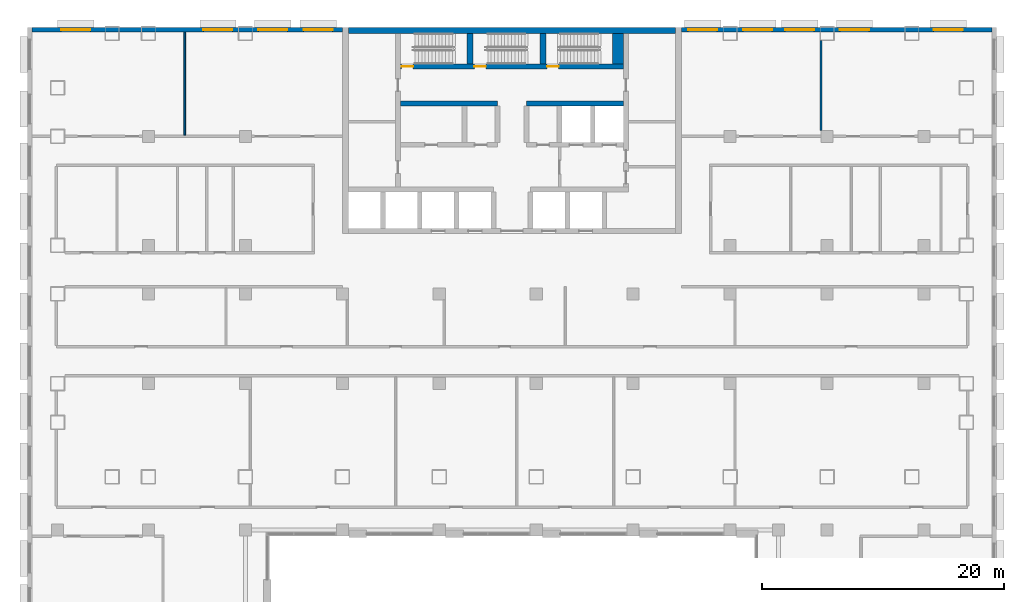
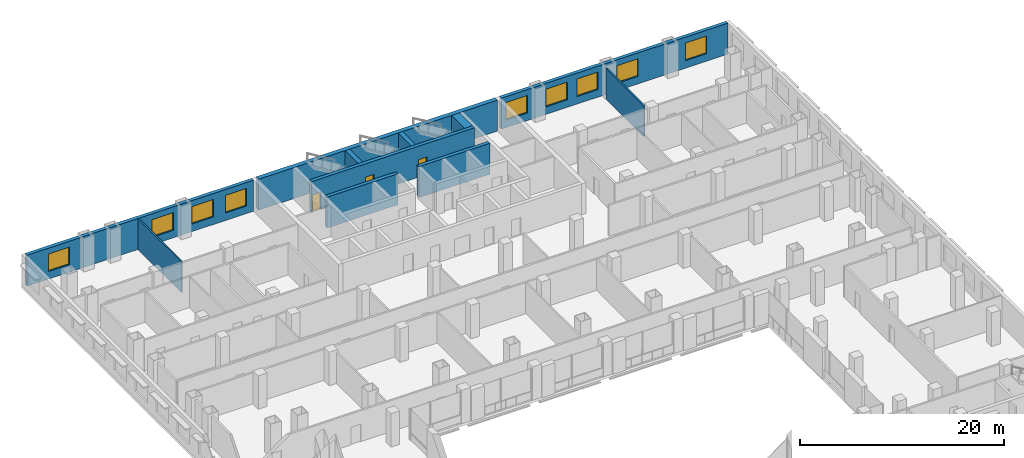
# One storey, part 16 of 25: 11 walls, 9 windows, 3 doors, 12 openings.
"""IFC4 building model written with IfcOpenShell, lengths in metres."""

import ifcopenshell
import ifcopenshell.guid

model = None  # the IFC model being written
_history = None  # IfcOwnerHistory: only IFC2X3 demands one
_inside = {}  # id of a spatial element -> (the spatial element, [elements in it])
_under = {}  # id of a project, library or spatial element -> (it, [spatial elements below it])
_declared = {}  # id of a project -> (the project, [libraries it declares])
_typed = {}  # id of a type object -> (the type object, [elements of that type])
_made_of = {}  # id of a material, layer set ... -> (it, [elements and type objects made of it])


def new_model(schema):
    """Start an empty IFC model of exactly this schema.

    Asked for "IFC4X3", IfcOpenShell would pick the latest addendum, in which some entities
    have other attributes; the version numbers below select the first issue.
    IFC2X3 requires an IfcOwnerHistory on every rooted entity: one is made here for all.
    """
    global model, _history
    if schema == "IFC4X3":
        model = ifcopenshell.file(schema_version=(4, 3, 0, 0))
    else:
        model = ifcopenshell.file(schema=schema)
    _inside.clear()
    _under.clear()
    _declared.clear()
    _typed.clear()
    _made_of.clear()
    _history = None
    if model.schema == "IFC2X3":
        org = make("IfcOrganization", Name="unknown")
        user = make(
            "IfcPersonAndOrganization",
            ThePerson=make("IfcPerson", FamilyName="unknown"),
            TheOrganization=org,
        )
        app = make(
            "IfcApplication",
            ApplicationDeveloper=org,
            Version="unknown",
            ApplicationFullName="unknown",
            ApplicationIdentifier="unknown",
        )
        _history = make(
            "IfcOwnerHistory",
            OwningUser=user,
            OwningApplication=app,
            ChangeAction="ADDED",
            CreationDate=0,
        )
    return model


def make(cls, **values):
    """One entity of the class cls with the attributes given. An attribute that is None is left unset."""
    return model.create_entity(
        cls, **{name: value for name, value in values.items() if value is not None}
    )


def rooted(cls, **values):
    """An entity with a GlobalId (a new one), such as an element, a storey or a relation."""
    return make(cls, GlobalId=ifcopenshell.guid.new(), OwnerHistory=_history, **values)


def si_unit(unit_type, name, prefix=None):
    """IfcSIUnit, for example si_unit("LENGTHUNIT", "METRE", prefix="MILLI")."""
    return make("IfcSIUnit", UnitType=unit_type, Prefix=prefix, Name=name)


def assignment(units):
    """IfcUnitAssignment: the units of a project."""
    return None if units is None else make("IfcUnitAssignment", Units=units)


def point(xyz):
    """IfcCartesianPoint."""
    return None if xyz is None else make("IfcCartesianPoint", Coordinates=xyz)


def direction(xyz):
    """IfcDirection."""
    return None if xyz is None else make("IfcDirection", DirectionRatios=xyz)


def frame(location, z_axis=None, x_axis=None):
    """IfcAxis2Placement3D, a coordinate frame: its origin and axes. An axis left out is left unset."""
    return make(
        "IfcAxis2Placement3D",
        Location=point(location),
        Axis=direction(z_axis),
        RefDirection=direction(x_axis),
    )


def frame_2d(location, x_axis=None):
    """IfcAxis2Placement2D, a coordinate frame in the plane: its origin and x axis."""
    return make(
        "IfcAxis2Placement2D", Location=point(location), RefDirection=direction(x_axis)
    )


def origin():
    """The frame at (0, 0, 0) with its axes left unset."""
    return frame((0.0, 0.0, 0.0))


def place(relative_to, where):
    """IfcLocalPlacement: puts the frame where relative to a parent placement (None: the world)."""
    return make(
        "IfcLocalPlacement", PlacementRelTo=relative_to, RelativePlacement=where
    )


def context(
    kind, dimensions, precision=None, world=None, true_north=None, identifier=None
):
    """IfcGeometricRepresentationContext, for example the 3D "Model" context."""
    return make(
        "IfcGeometricRepresentationContext",
        ContextIdentifier=identifier,
        ContextType=kind,
        CoordinateSpaceDimension=dimensions,
        Precision=precision,
        WorldCoordinateSystem=world,
        TrueNorth=true_north,
    )


def subcontext(parent, identifier, kind, view, scale=None):
    """IfcGeometricRepresentationSubContext, for example "Body" below "Model"."""
    return make(
        "IfcGeometricRepresentationSubContext",
        ContextIdentifier=identifier,
        ContextType=kind,
        ParentContext=parent,
        TargetScale=scale,
        TargetView=view,
    )


def project(units=None, contexts=None):
    """IfcProject with its units and contexts."""
    return rooted(
        "IfcProject",
        Name="project",
        RepresentationContexts=contexts,
        UnitsInContext=assignment(units),
    )


def spatial(cls, under=None, at=None, **own):
    """A site, building, storey or space (cls), placed at a placement, below another one or the project."""
    s = rooted(cls, ObjectPlacement=at, **own)
    if under is not None:
        _under.setdefault(under.id(), (under, []))[1].append(s)
    return s


def profile(cls, at=None, kind="AREA", **sizes):
    """A parametric profile (cls). Its sizes go by their IFC names, for example OverallWidth=200.0."""
    return make(cls, ProfileType=kind, Position=at, **sizes)


def rectangle(**sizes):
    """IfcRectangleProfileDef."""
    return profile("IfcRectangleProfileDef", **sizes)


def extrude(swept, where, along, depth):
    """IfcExtrudedAreaSolid: the profile swept, set in the frame where, extruded along a direction by depth."""
    return make(
        "IfcExtrudedAreaSolid",
        SweptArea=swept,
        Position=where,
        ExtrudedDirection=direction(along),
        Depth=depth,
    )


def shape(context_of_items, identifier, shape_type, items):
    """IfcShapeRepresentation: the items that make up one representation, for example the "Body"."""
    return make(
        "IfcShapeRepresentation",
        ContextOfItems=context_of_items,
        RepresentationIdentifier=identifier,
        RepresentationType=shape_type,
        Items=items,
    )


def material(Name=None, Category=None):
    """IfcMaterial."""
    return make("IfcMaterial", Name=Name, Category=Category)


def layer(
    of_material, thickness, ventilated=None, Name=None, Category=None, Priority=None
):
    """IfcMaterialLayer: one layer of a wall or slab, of a material (None: an air gap)."""
    return make(
        "IfcMaterialLayer",
        Material=of_material,
        LayerThickness=thickness,
        IsVentilated=ventilated,
        Name=Name,
        Category=Category,
        Priority=Priority,
    )


def layer_set(layers, Name=None):
    """IfcMaterialLayerSet."""
    return make("IfcMaterialLayerSet", MaterialLayers=layers, LayerSetName=Name)


def made_of(thing, what):
    """Note that an element or type object is made of a material, layer set ...; save() writes the relation."""
    if what is not None:
        _made_of.setdefault(what.id(), (what, []))[1].append(thing)
    return thing


def type_object(cls, material=None, **own):
    """A type object (cls), such as IfcWallType, which elements share."""
    return made_of(rooted(cls, **own), material)


def element(
    cls,
    number,
    at=None,
    inside=None,
    cuts=None,
    type_object=None,
    material=None,
    context=None,
    identifier="Body",
    shape_type=None,
    held_by="IfcProductDefinitionShape",
    body=None,
    shapes=None,
    **own,
):
    """One element of the class cls, such as IfcWall. Its Tag is "e" and its number.

    at: its placement. inside: the storey or other place that contains it. cuts: it is an
    opening in that element (IfcRelVoidsElement). A single representation is given by context,
    identifier, shape_type and body (its items); several are given by shapes. held_by: the class
    of the entity that holds the representations. save() writes the other relations.
    """
    e = rooted(cls, Tag="e%d" % number, ObjectPlacement=at, **own)
    if body is not None:
        shapes = [shape(context, identifier, shape_type, body)]
    if shapes is not None:
        e.Representation = make(held_by, Representations=shapes)
    if inside is not None:
        _inside.setdefault(inside.id(), (inside, []))[1].append(e)
    if cuts is not None:
        rooted(
            "IfcRelVoidsElement", RelatingBuildingElement=cuts, RelatedOpeningElement=e
        )
    if type_object is not None:
        _typed.setdefault(type_object.id(), (type_object, []))[1].append(e)
    return made_of(e, material)


def fill(opening, filler):
    """IfcRelFillsElement: the door or window that sits in an opening."""
    return rooted(
        "IfcRelFillsElement",
        RelatingOpeningElement=opening,
        RelatedBuildingElement=filler,
    )


def aggregate(whole, parts):
    """IfcRelAggregates: a whole, such as a stair, and the parts it consists of."""
    return rooted("IfcRelAggregates", RelatingObject=whole, RelatedObjects=parts)


def save(model, path):
    """Write the relations noted so far, then the file.

    IfcRelAggregates (storeys below a building ...), IfcRelContainedInSpatialStructure (elements
    in a storey), IfcRelDefinesByType, IfcRelAssociatesMaterial and IfcRelDeclares: one each for
    every whole, place, type object, material and project.
    """
    for whole, parts in _under.values():
        aggregate(whole, parts)
    for where, things in _inside.values():
        rooted(
            "IfcRelContainedInSpatialStructure",
            RelatedElements=things,
            RelatingStructure=where,
        )
    for kind, things in _typed.values():
        rooted("IfcRelDefinesByType", RelatedObjects=things, RelatingType=kind)
    for what, things in _made_of.values():
        rooted("IfcRelAssociatesMaterial", RelatedObjects=things, RelatingMaterial=what)
    for by, libraries in _declared.values():
        rooted("IfcRelDeclares", RelatingContext=by, RelatedDefinitions=libraries)
    model.write(path)


model = new_model("IFC4")

# Units and contexts
model_context = context("Model", 3, precision=1e-05, world=origin(), true_north=direction((0.0, 1.0)))
body_context = subcontext(model_context, "Body", "Model", "MODEL_VIEW")
ifc_project = project(units=[si_unit("LENGTHUNIT", "METRE"), si_unit("AREAUNIT", "SQUARE_METRE"), si_unit("VOLUMEUNIT", "CUBIC_METRE"), si_unit("PLANEANGLEUNIT", "RADIAN"), si_unit("MASSUNIT", "GRAM", prefix="KILO")], contexts=[model_context])

# Site, building, storey
site_placement = place(None, origin())
site = spatial("IfcSite", under=ifc_project, at=site_placement, CompositionType="ELEMENT")
building_placement = place(site_placement, origin())
building = spatial("IfcBuilding", under=site, at=building_placement, Name="Vidyagriha Tower", CompositionType="ELEMENT")
storey_placement = place(building_placement, frame((0.0, 0.0, 10.0)))
storey = spatial("IfcBuildingStorey", under=building, at=storey_placement, Name="L02", CompositionType="ELEMENT", Elevation=10.0)

# Wall, openings, windows
ifc_material_1 = material(Name="Concrete C40/50 board-marked with brick facing", Category="concrete")
ifc_layer_1 = layer(ifc_material_1, 0.39990234375)
ifc_layer_set_1 = layer_set([ifc_layer_1], Name="Concrete C40/50 board-marked with brick facing")
wall_type_1 = type_object("IfcWallType", Name="Brick-faced board-marked concrete podium wall 400", PredefinedType="STANDARD", material=ifc_layer_set_1)
wall_1_placement = place(storey_placement, frame((39.60009765625, 19.800048828125, 0.0), z_axis=(0.0, 0.0, 1.0), x_axis=(-1.0, 0.0, 0.0)))
wall_1 = element("IfcWall", 1, at=wall_1_placement, inside=storey, type_object=wall_type_1, Name="Podium wall L02 R02", PredefinedType="STANDARD", context=body_context, shape_type="SweptSolid", body=[
    extrude(rectangle(XDim=25.60009765625, YDim=0.39990234375, at=frame_2d((12.800048828125, 0.0))), origin(), (0.0, 0.0, 1.0), 3.699951171875),
])
opening_1_placement = place(wall_1_placement, frame((2.39990234375, 0.0, 0.89990234375)))
opening_1 = element("IfcOpeningElement", 2, at=opening_1_placement, cuts=wall_1, Name="Opening WN3", PredefinedType="OPENING", context=body_context, shape_type="SweptSolid", body=[
    extrude(rectangle(XDim=2.39990234375, YDim=2.10009765625, at=frame_2d((1.199951171875, 1.050048828125))), frame((0.0, 0.2099609375, 0.0), z_axis=(0.0, -1.0, 0.0), x_axis=(1.0, 0.0, 0.0)), (0.0, 0.0, 1.0), 0.419921875),
])
opening_2_placement = place(wall_1_placement, frame((10.135009765625, 0.0, 0.89990234375)))
opening_2 = element("IfcOpeningElement", 3, at=opening_2_placement, cuts=wall_1, Name="Opening WN3", PredefinedType="OPENING", context=body_context, shape_type="SweptSolid", body=[
    extrude(rectangle(XDim=2.39990234375, YDim=2.10009765625, at=frame_2d((1.199951171875, 1.050048828125))), frame((0.0, 0.2099609375, 0.0), z_axis=(0.0, -1.0, 0.0), x_axis=(1.0, 0.0, 0.0)), (0.0, 0.0, 1.0), 0.419921875),
])
opening_3_placement = place(wall_1_placement, frame((14.6650390625, 0.0, 0.89990234375)))
opening_3 = element("IfcOpeningElement", 4, at=opening_3_placement, cuts=wall_1, Name="Opening WN3", PredefinedType="OPENING", context=body_context, shape_type="SweptSolid", body=[
    extrude(rectangle(XDim=2.39990234375, YDim=2.10009765625, at=frame_2d((1.199951171875, 1.050048828125))), frame((0.0, 0.2099609375, 0.0), z_axis=(0.0, -1.0, 0.0), x_axis=(1.0, 0.0, 0.0)), (0.0, 0.0, 1.0), 0.419921875),
])
opening_4_placement = place(wall_1_placement, frame((18.135009765625, 0.0, 0.89990234375)))
opening_4 = element("IfcOpeningElement", 5, at=opening_4_placement, cuts=wall_1, Name="Opening WN3", PredefinedType="OPENING", context=body_context, shape_type="SweptSolid", body=[
    extrude(rectangle(XDim=2.39990234375, YDim=2.10009765625, at=frame_2d((1.199951171875, 1.050048828125))), frame((0.0, 0.2099609375, 0.0), z_axis=(0.0, -1.0, 0.0), x_axis=(1.0, 0.0, 0.0)), (0.0, 0.0, 1.0), 0.419921875),
])
opening_5_placement = place(wall_1_placement, frame((22.6650390625, 0.0, 0.89990234375)))
opening_5 = element("IfcOpeningElement", 6, at=opening_5_placement, cuts=wall_1, Name="Opening WN3", PredefinedType="OPENING", context=body_context, shape_type="SweptSolid", body=[
    extrude(rectangle(XDim=2.39990234375, YDim=2.10009765625, at=frame_2d((1.199951171875, 1.050048828125))), frame((0.0, 0.2099609375, 0.0), z_axis=(0.0, -1.0, 0.0), x_axis=(1.0, 0.0, 0.0)), (0.0, 0.0, 1.0), 0.419921875),
])
ifc_material_2 = material(Name="Aluminium and glass window", Category="aluminium")
window_type = type_object("IfcWindowType", Name="Podium school window 2400x2100", PartitioningType="NOTDEFINED", PredefinedType="WINDOW", material=ifc_material_2)
window_1_placement = place(opening_1_placement, origin())
window_1 = element("IfcWindow", 7, at=window_1_placement, inside=storey, type_object=window_type, Name="School window L02 R02.2", OverallHeight=2.10009765625, OverallWidth=2.39990234375, PartitioningType="SINGLE_PANEL", PredefinedType="WINDOW", context=body_context, shape_type="SweptSolid", body=[
    extrude(rectangle(XDim=2.39990234375, YDim=2.10009765625, at=frame_2d((1.199951171875, 1.050048828125))), frame((0.0, 0.030029296875, 0.0), z_axis=(0.0, -1.0, 0.0), x_axis=(1.0, 0.0, 0.0)), (0.0, 0.0, 1.0), 0.06005859375),
])
fill(opening_1, window_1)
window_2_placement = place(opening_2_placement, origin())
window_2 = element("IfcWindow", 8, at=window_2_placement, inside=storey, type_object=window_type, Name="School window L02 R02.7", OverallHeight=2.10009765625, OverallWidth=2.39990234375, PartitioningType="SINGLE_PANEL", PredefinedType="WINDOW", context=body_context, shape_type="SweptSolid", body=[
    extrude(rectangle(XDim=2.39990234375, YDim=2.10009765625, at=frame_2d((1.199951171875, 1.050048828125))), frame((0.0, 0.030029296875, 0.0), z_axis=(0.0, -1.0, 0.0), x_axis=(1.0, 0.0, 0.0)), (0.0, 0.0, 1.0), 0.06005859375),
])
fill(opening_2, window_2)
window_3_placement = place(opening_3_placement, origin())
window_3 = element("IfcWindow", 9, at=window_3_placement, inside=storey, type_object=window_type, Name="School window L02 R02.9", OverallHeight=2.10009765625, OverallWidth=2.39990234375, PartitioningType="SINGLE_PANEL", PredefinedType="WINDOW", context=body_context, shape_type="SweptSolid", body=[
    extrude(rectangle(XDim=2.39990234375, YDim=2.10009765625, at=frame_2d((1.199951171875, 1.050048828125))), frame((0.0, 0.030029296875, 0.0), z_axis=(0.0, -1.0, 0.0), x_axis=(1.0, 0.0, 0.0)), (0.0, 0.0, 1.0), 0.06005859375),
])
fill(opening_3, window_3)
window_4_placement = place(opening_4_placement, origin())
window_4 = element("IfcWindow", 10, at=window_4_placement, inside=storey, type_object=window_type, Name="School window L02 R02.10", OverallHeight=2.10009765625, OverallWidth=2.39990234375, PartitioningType="SINGLE_PANEL", PredefinedType="WINDOW", context=body_context, shape_type="SweptSolid", body=[
    extrude(rectangle(XDim=2.39990234375, YDim=2.10009765625, at=frame_2d((1.199951171875, 1.050048828125))), frame((0.0, 0.030029296875, 0.0), z_axis=(0.0, -1.0, 0.0), x_axis=(1.0, 0.0, 0.0)), (0.0, 0.0, 1.0), 0.06005859375),
])
fill(opening_4, window_4)
window_5_placement = place(opening_5_placement, origin())
window_5 = element("IfcWindow", 11, at=window_5_placement, inside=storey, type_object=window_type, Name="School window L02 R02.12", OverallHeight=2.10009765625, OverallWidth=2.39990234375, PartitioningType="SINGLE_PANEL", PredefinedType="WINDOW", context=body_context, shape_type="SweptSolid", body=[
    extrude(rectangle(XDim=2.39990234375, YDim=2.10009765625, at=frame_2d((1.199951171875, 1.050048828125))), frame((0.0, 0.030029296875, 0.0), z_axis=(0.0, -1.0, 0.0), x_axis=(1.0, 0.0, 0.0)), (0.0, 0.0, 1.0), 0.06005859375),
])
fill(opening_5, window_5)

wall_2_placement = place(storey_placement, frame((-14.0, 19.800048828125, 0.0), z_axis=(0.0, 0.0, 1.0), x_axis=(-1.0, 0.0, 0.0)))
wall_2 = element("IfcWall", 12, at=wall_2_placement, inside=storey, type_object=wall_type_1, Name="Podium wall L02 R04", PredefinedType="STANDARD", context=body_context, shape_type="SweptSolid", body=[
    extrude(rectangle(XDim=25.60009765625, YDim=0.39990234375, at=frame_2d((12.800048828125, 0.0))), origin(), (0.0, 0.0, 1.0), 3.699951171875),
])
opening_6_placement = place(wall_2_placement, frame((0.800048828125, 0.0, 0.89990234375)))
opening_6 = element("IfcOpeningElement", 13, at=opening_6_placement, cuts=wall_2, Name="Opening WN3", PredefinedType="OPENING", context=body_context, shape_type="SweptSolid", body=[
    extrude(rectangle(XDim=2.39990234375, YDim=2.10009765625, at=frame_2d((1.199951171875, 1.050048828125))), frame((0.0, 0.2099609375, 0.0), z_axis=(0.0, -1.0, 0.0), x_axis=(1.0, 0.0, 0.0)), (0.0, 0.0, 1.0), 0.419921875),
])
opening_7_placement = place(wall_2_placement, frame((4.534912109375, 0.0, 0.89990234375)))
opening_7 = element("IfcOpeningElement", 14, at=opening_7_placement, cuts=wall_2, Name="Opening WN3", PredefinedType="OPENING", context=body_context, shape_type="SweptSolid", body=[
    extrude(rectangle(XDim=2.39990234375, YDim=2.10009765625, at=frame_2d((1.199951171875, 1.050048828125))), frame((0.0, 0.2099609375, 0.0), z_axis=(0.0, -1.0, 0.0), x_axis=(1.0, 0.0, 0.0)), (0.0, 0.0, 1.0), 0.419921875),
])
opening_8_placement = place(wall_2_placement, frame((9.06494140625, 0.0, 0.89990234375)))
opening_8 = element("IfcOpeningElement", 15, at=opening_8_placement, cuts=wall_2, Name="Opening WN3", PredefinedType="OPENING", context=body_context, shape_type="SweptSolid", body=[
    extrude(rectangle(XDim=2.39990234375, YDim=2.10009765625, at=frame_2d((1.199951171875, 1.050048828125))), frame((0.0, 0.2099609375, 0.0), z_axis=(0.0, -1.0, 0.0), x_axis=(1.0, 0.0, 0.0)), (0.0, 0.0, 1.0), 0.419921875),
])
opening_9_placement = place(wall_2_placement, frame((20.800048828125, 0.0, 0.89990234375)))
opening_9 = element("IfcOpeningElement", 16, at=opening_9_placement, cuts=wall_2, Name="Opening WN3", PredefinedType="OPENING", context=body_context, shape_type="SweptSolid", body=[
    extrude(rectangle(XDim=2.39990234375, YDim=2.10009765625, at=frame_2d((1.199951171875, 1.050048828125))), frame((0.0, 0.2099609375, 0.0), z_axis=(0.0, -1.0, 0.0), x_axis=(1.0, 0.0, 0.0)), (0.0, 0.0, 1.0), 0.419921875),
])
window_6_placement = place(opening_6_placement, origin())
window_6 = element("IfcWindow", 17, at=window_6_placement, inside=storey, type_object=window_type, Name="School window L02 R04.1", OverallHeight=2.10009765625, OverallWidth=2.39990234375, PartitioningType="SINGLE_PANEL", PredefinedType="WINDOW", context=body_context, shape_type="SweptSolid", body=[
    extrude(rectangle(XDim=2.39990234375, YDim=2.10009765625, at=frame_2d((1.199951171875, 1.050048828125))), frame((0.0, 0.030029296875, 0.0), z_axis=(0.0, -1.0, 0.0), x_axis=(1.0, 0.0, 0.0)), (0.0, 0.0, 1.0), 0.06005859375),
])
fill(opening_6, window_6)
window_7_placement = place(opening_7_placement, origin())
window_7 = element("IfcWindow", 18, at=window_7_placement, inside=storey, type_object=window_type, Name="School window L02 R04.2", OverallHeight=2.10009765625, OverallWidth=2.39990234375, PartitioningType="SINGLE_PANEL", PredefinedType="WINDOW", context=body_context, shape_type="SweptSolid", body=[
    extrude(rectangle(XDim=2.39990234375, YDim=2.10009765625, at=frame_2d((1.199951171875, 1.050048828125))), frame((0.0, 0.030029296875, 0.0), z_axis=(0.0, -1.0, 0.0), x_axis=(1.0, 0.0, 0.0)), (0.0, 0.0, 1.0), 0.06005859375),
])
fill(opening_7, window_7)
window_8_placement = place(opening_8_placement, origin())
window_8 = element("IfcWindow", 19, at=window_8_placement, inside=storey, type_object=window_type, Name="School window L02 R04.4", OverallHeight=2.10009765625, OverallWidth=2.39990234375, PartitioningType="SINGLE_PANEL", PredefinedType="WINDOW", context=body_context, shape_type="SweptSolid", body=[
    extrude(rectangle(XDim=2.39990234375, YDim=2.10009765625, at=frame_2d((1.199951171875, 1.050048828125))), frame((0.0, 0.030029296875, 0.0), z_axis=(0.0, -1.0, 0.0), x_axis=(1.0, 0.0, 0.0)), (0.0, 0.0, 1.0), 0.06005859375),
])
fill(opening_8, window_8)
window_9_placement = place(opening_9_placement, origin())
window_9 = element("IfcWindow", 20, at=window_9_placement, inside=storey, type_object=window_type, Name="School window L02 R04.12", OverallHeight=2.10009765625, OverallWidth=2.39990234375, PartitioningType="SINGLE_PANEL", PredefinedType="WINDOW", context=body_context, shape_type="SweptSolid", body=[
    extrude(rectangle(XDim=2.39990234375, YDim=2.10009765625, at=frame_2d((1.199951171875, 1.050048828125))), frame((0.0, 0.030029296875, 0.0), z_axis=(0.0, -1.0, 0.0), x_axis=(1.0, 0.0, 0.0)), (0.0, 0.0, 1.0), 0.06005859375),
])
fill(opening_9, window_9)

# Walls
ifc_material_3 = material(Name="Concrete C60/75", Category="concrete")
ifc_layer_2 = layer(ifc_material_3, 0.39990234375)
ifc_layer_set_2 = layer_set([ifc_layer_2], Name="Concrete C60/75")
wall_type_2 = type_object("IfcWallType", Name="Core shear wall 400 mm", PredefinedType="SHEAR", material=ifc_layer_set_2)
for number, where, name in (
    (21, (-9.199951171875, 13.699951171875, 0.0), "Core row N rear wall"),
    (22, (1.199951171875, 13.699951171875, 0.0), "Core row N rear wall"),
):
    element("IfcWall", number, at=place(storey_placement, frame(where)), inside=storey, type_object=wall_type_2, Name=name, PredefinedType="SHEAR", context=body_context, shape_type="SweptSolid", body=[
        extrude(rectangle(XDim=8.0, YDim=0.39990234375, at=frame_2d((4.0, 0.0))), origin(), (0.0, 0.0, 1.0), 3.699951171875),
    ])

# Wall, openings, doors
wall_3_placement = place(storey_placement, frame((-9.199951171875, 16.75, 0.0)))
wall_3 = element("IfcWall", 23, at=wall_3_placement, inside=storey, type_object=wall_type_2, Name="Stair front wall", PredefinedType="SHEAR", context=body_context, shape_type="SweptSolid", body=[
    extrude(rectangle(XDim=18.39990234375, YDim=0.39990234375, at=frame_2d((9.199951171875, 0.0))), origin(), (0.0, 0.0, 1.0), 3.699951171875),
])
opening_10_placement = place(wall_3_placement, frame((0.10009765625, 0.0, 0.0)))
opening_10 = element("IfcOpeningElement", 24, at=opening_10_placement, cuts=wall_3, Name="Opening D02-06", PredefinedType="OPENING", context=body_context, shape_type="SweptSolid", body=[
    extrude(rectangle(XDim=0.949951171875, YDim=2.10009765625, at=frame_2d((0.47509765625, 1.050048828125))), frame((0.0, 0.2099609375, 0.0), z_axis=(0.0, -1.0, 0.0), x_axis=(1.0, 0.0, 0.0)), (0.0, 0.0, 1.0), 0.419921875),
])
opening_11_placement = place(wall_3_placement, frame((6.10009765625, 0.0, 0.0)))
opening_11 = element("IfcOpeningElement", 25, at=opening_11_placement, cuts=wall_3, Name="Opening D02-07", PredefinedType="OPENING", context=body_context, shape_type="SweptSolid", body=[
    extrude(rectangle(XDim=0.949951171875, YDim=2.10009765625, at=frame_2d((0.47509765625, 1.050048828125))), frame((0.0, 0.2099609375, 0.0), z_axis=(0.0, -1.0, 0.0), x_axis=(1.0, 0.0, 0.0)), (0.0, 0.0, 1.0), 0.419921875),
])
opening_12_placement = place(wall_3_placement, frame((12.10009765625, 0.0, 0.0)))
opening_12 = element("IfcOpeningElement", 26, at=opening_12_placement, cuts=wall_3, Name="Opening D02-08", PredefinedType="OPENING", context=body_context, shape_type="SweptSolid", body=[
    extrude(rectangle(XDim=0.949951171875, YDim=2.10009765625, at=frame_2d((0.47509765625, 1.050048828125))), frame((0.0, 0.2099609375, 0.0), z_axis=(0.0, -1.0, 0.0), x_axis=(1.0, 0.0, 0.0)), (0.0, 0.0, 1.0), 0.419921875),
])
ifc_material_4 = material(Name="Hollow metal door leaf")
door_type = type_object("IfcDoorType", Name="Exit stair door 950 x 2100 mm EI 90", OperationType="NOTDEFINED", PredefinedType="DOOR", material=ifc_material_4)
door_1_placement = place(opening_10_placement, origin())
door_1 = element("IfcDoor", 27, at=door_1_placement, inside=storey, type_object=door_type, Name="Stair door ST1 L02", OperationType="SINGLE_SWING_LEFT", OverallHeight=2.10009765625, OverallWidth=0.949951171875, PredefinedType="DOOR", context=body_context, shape_type="SweptSolid", body=[
    extrude(rectangle(XDim=0.949951171875, YDim=2.10009765625, at=frame_2d((0.47509765625, 1.050048828125))), frame((0.0, 0.02490234375, 0.0), z_axis=(0.0, -1.0, 0.0), x_axis=(1.0, 0.0, 0.0)), (0.0, 0.0, 1.0), 0.050048828125),
])
fill(opening_10, door_1)
door_2_placement = place(opening_11_placement, origin())
door_2 = element("IfcDoor", 28, at=door_2_placement, inside=storey, type_object=door_type, Name="Stair door ST2 L02", OperationType="SINGLE_SWING_LEFT", OverallHeight=2.10009765625, OverallWidth=0.949951171875, PredefinedType="DOOR", context=body_context, shape_type="SweptSolid", body=[
    extrude(rectangle(XDim=0.949951171875, YDim=2.10009765625, at=frame_2d((0.47509765625, 1.050048828125))), frame((0.0, 0.02490234375, 0.0), z_axis=(0.0, -1.0, 0.0), x_axis=(1.0, 0.0, 0.0)), (0.0, 0.0, 1.0), 0.050048828125),
])
fill(opening_11, door_2)
door_3_placement = place(opening_12_placement, origin())
door_3 = element("IfcDoor", 29, at=door_3_placement, inside=storey, type_object=door_type, Name="Stair door ST3 L02", OperationType="SINGLE_SWING_LEFT", OverallHeight=2.10009765625, OverallWidth=0.949951171875, PredefinedType="DOOR", context=body_context, shape_type="SweptSolid", body=[
    extrude(rectangle(XDim=0.949951171875, YDim=2.10009765625, at=frame_2d((0.47509765625, 1.050048828125))), frame((0.0, 0.02490234375, 0.0), z_axis=(0.0, -1.0, 0.0), x_axis=(1.0, 0.0, 0.0)), (0.0, 0.0, 1.0), 0.050048828125),
])
fill(opening_12, door_3)

# Walls
ifc_material_5 = material(Name="Concrete C60/75", Category="concrete")
ifc_layer_3 = layer(ifc_material_5, 0.5)
ifc_layer_set_3 = layer_set([ifc_layer_3], Name="Concrete C60/75")
wall_type_3 = type_object("IfcWallType", Name="Core shear wall 500 mm", PredefinedType="SHEAR", material=ifc_layer_set_3)
for number, where, z_axis, x_axis, name in (
    (30, (-3.449951171875, 16.949951171875, 0.0), (0.0, 0.0, 1.0), (0.0, 1.0, 0.0), "Stair partition wall 1"),
    (31, (2.550048828125, 16.949951171875, 0.0), (0.0, 0.0, 1.0), (0.0, 1.0, 0.0), "Stair partition wall 2"),
):
    element("IfcWall", number, at=place(storey_placement, frame(where, z_axis=z_axis, x_axis=x_axis)), inside=storey, type_object=wall_type_3, Name=name, PredefinedType="SHEAR", context=body_context, shape_type="SweptSolid", body=[
        extrude(rectangle(XDim=2.550048828125, YDim=0.5, at=frame_2d((1.27490234375, 0.0))), origin(), (0.0, 0.0, 1.0), 3.699951171875),
    ])
ifc_material_6 = material(Name="Concrete C60/75 with brick facing", Category="concrete")
ifc_layer_4 = layer(ifc_material_6, 0.5)
ifc_layer_set_4 = layer_set([ifc_layer_4], Name="Concrete C60/75 with brick facing")
wall_type_4 = type_object("IfcWallType", Name="Core shear wall 500 mm, brick-faced", PredefinedType="SHEAR", material=ifc_layer_set_4)
wall_4_placement = place(storey_placement, frame((-13.5, 19.75, 0.0)))
element("IfcWall", 32, at=wall_4_placement, inside=storey, type_object=wall_type_4, Name="Core north wall", PredefinedType="SHEAR", context=body_context, shape_type="SweptSolid", body=[
    extrude(rectangle(XDim=27.0, YDim=0.5, at=frame_2d((13.5, 0.0))), origin(), (0.0, 0.0, 1.0), 3.699951171875),
])
ifc_material_7 = material(Name="Concrete C60/75", Category="concrete")
ifc_layer_5 = layer(ifc_material_7, 0.89990234375)
ifc_layer_set_5 = layer_set([ifc_layer_5], Name="Concrete C60/75")
wall_type_5 = type_object("IfcWallType", Name="Core shear wall 900 mm", PredefinedType="SHEAR", material=ifc_layer_set_5)
wall_5_placement = place(storey_placement, frame((8.75, 16.949951171875, 0.0), z_axis=(0.0, 0.0, 1.0), x_axis=(0.0, 1.0, 0.0)))
element("IfcWall", 33, at=wall_5_placement, inside=storey, type_object=wall_type_5, Name="Stair end wall", PredefinedType="SHEAR", context=body_context, shape_type="SweptSolid", body=[
    extrude(rectangle(XDim=2.550048828125, YDim=0.89990234375, at=frame_2d((1.27490234375, 0.0))), origin(), (0.0, 0.0, 1.0), 3.699951171875),
])
ifc_material_8 = material(Name="Gypsum board on light gauge framing")
ifc_layer_6 = layer(ifc_material_8, 0.14990234375)
ifc_layer_set_6 = layer_set([ifc_layer_6], Name="Gypsum board on light gauge framing")
wall_type_6 = type_object("IfcWallType", Name="Gypsum Board Partition 150", PredefinedType="PARTITIONING", material=ifc_layer_set_6)
wall_6_placement = place(storey_placement, frame((-27.0, 11.10009765625, 0.0), z_axis=(0.0, 0.0, 1.0), x_axis=(0.0, 1.0, 0.0)))
element("IfcWall", 34, at=wall_6_placement, inside=storey, type_object=wall_type_6, Name="L02 Gypsum Board Partition 150 047", PredefinedType="PARTITIONING", context=body_context, shape_type="SweptSolid", body=[
    extrude(rectangle(XDim=8.499755859375, YDim=0.14990234375, at=frame_2d((4.25, 0.0))), origin(), (0.0, 0.0, 1.0), 3.699951171875),
])
wall_7_placement = place(storey_placement, frame((25.5, 11.5, 0.0), z_axis=(0.0, 0.0, 1.0), x_axis=(0.0, 1.0, 0.0)))
element("IfcWall", 35, at=wall_7_placement, inside=storey, type_object=wall_type_6, Name="L02 Gypsum Board Partition 150 071", PredefinedType="PARTITIONING", context=body_context, shape_type="SweptSolid", body=[
    extrude(rectangle(XDim=7.39990234375, YDim=0.14990234375, at=frame_2d((3.699951171875, 0.0))), origin(), (0.0, 0.0, 1.0), 3.699951171875),
])

save(model, "model.ifc")
